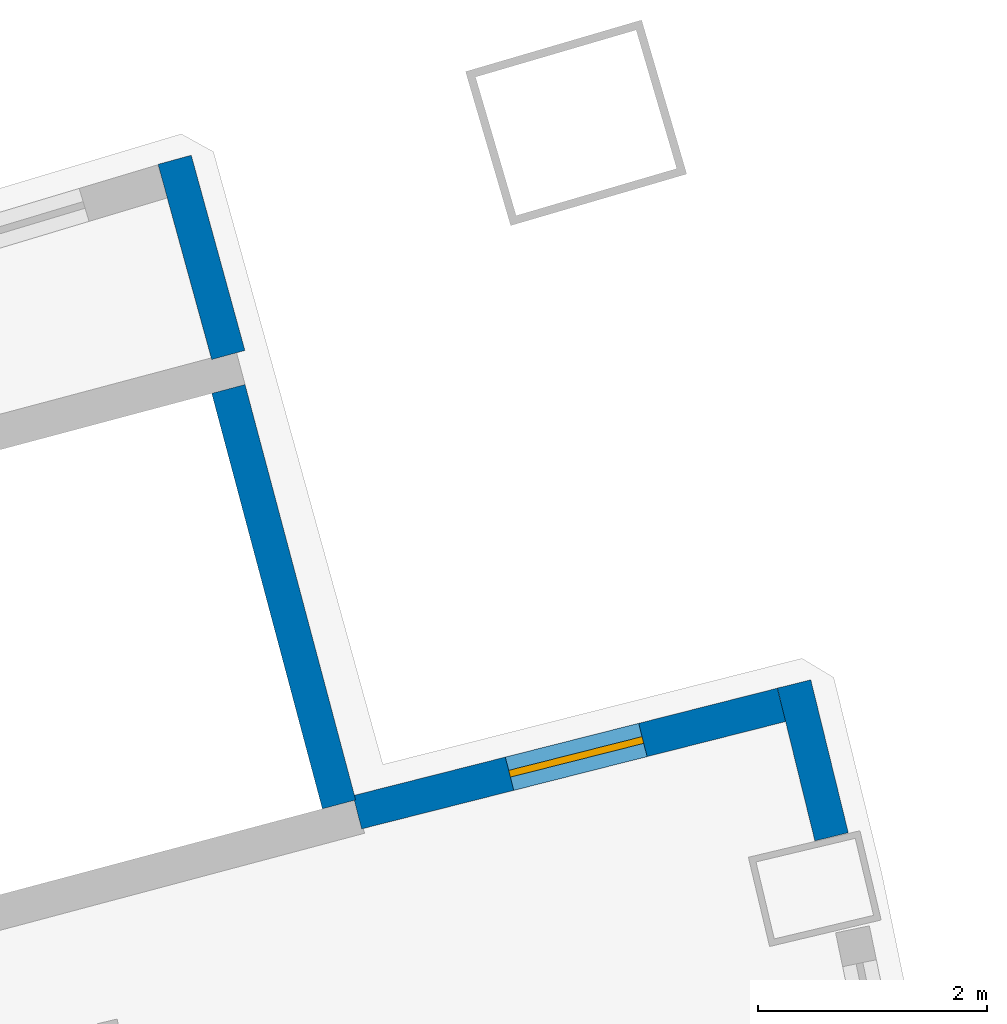
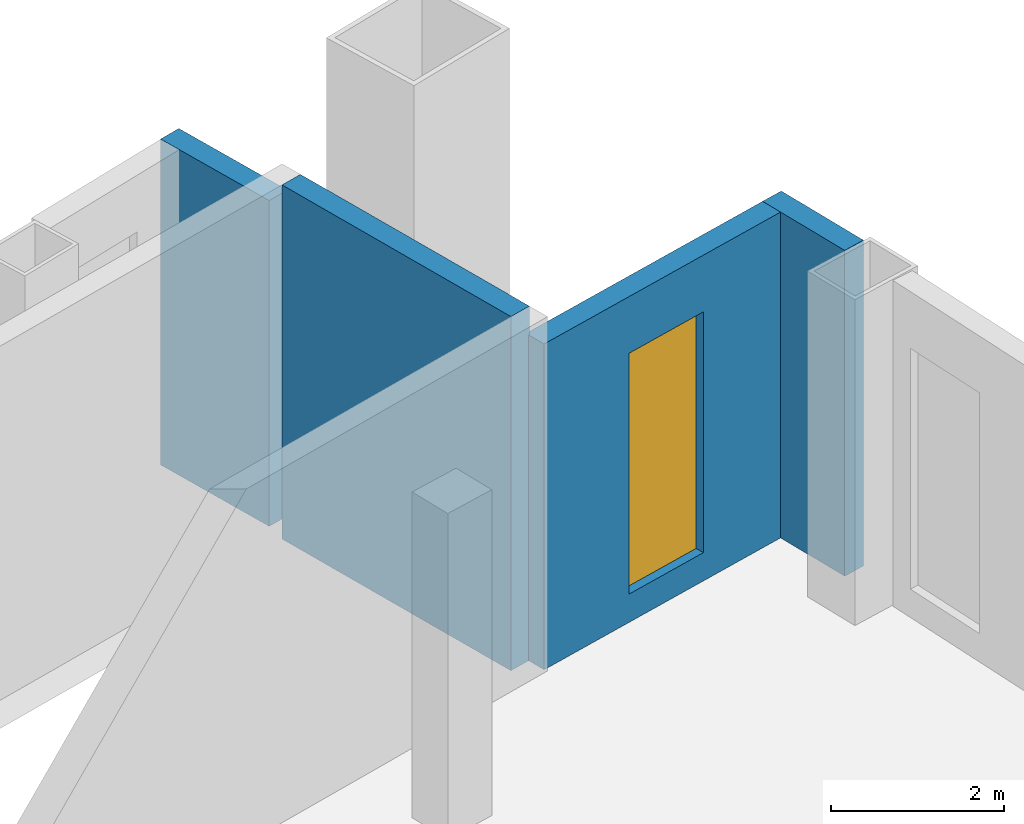
# One storey, part 8 of 9: 4 walls, 1 window, 1 opening.
"""IFC4 building model written with IfcOpenShell, lengths in metres."""

from ifc_helpers import new_model, si_unit, direction, frame, frame_2d, origin, place, context, subcontext, project, spatial, rectangle, extrude, material, layer, layer_set, type_object, element, fill, save


model = new_model("IFC4")

# Units and contexts
model_context = context("Model", 3, precision=1e-05, world=origin(), true_north=direction((0.0, 1.0)))
body_context = subcontext(model_context, "Body", "Model", "MODEL_VIEW")
ifc_project = project(units=[si_unit("LENGTHUNIT", "METRE"), si_unit("AREAUNIT", "SQUARE_METRE"), si_unit("VOLUMEUNIT", "CUBIC_METRE"), si_unit("PLANEANGLEUNIT", "RADIAN"), si_unit("MASSUNIT", "GRAM", prefix="KILO")], contexts=[model_context])

# Site, building, storey
site_placement = place(None, origin())
site = spatial("IfcSite", under=ifc_project, at=site_placement, CompositionType="ELEMENT")
building_placement = place(site_placement, origin())
building = spatial("IfcBuilding", under=site, at=building_placement, Name="Alderwake Tower", CompositionType="ELEMENT")
storey_placement = place(building_placement, frame((0.0, 0.0, 310.0)))
storey = spatial("IfcBuildingStorey", under=building, at=storey_placement, Name="L75", CompositionType="ELEMENT", Elevation=310.0)

# Walls
ifc_material_1 = material(Name="Concrete C70/85", Category="concrete")
ifc_layer_1 = layer(ifc_material_1, 0.300048828125)
ifc_layer_set_1 = layer_set([ifc_layer_1], Name="Core wall stair enclosure 300 C70-85")
wall_type_1 = type_object("IfcWallType", Name="Core wall stair enclosure 300 C70-85", PredefinedType="SHEAR", material=ifc_layer_set_1)
wall_1_placement = place(storey_placement, frame((47.581298828125, 93.041748046875, 0.0), z_axis=(0.0, 0.0, 1.0), x_axis=(-0.257366821694, 0.966313778796, 0.0)))
element("IfcWall", 1, at=wall_1_placement, inside=storey, type_object=wall_type_1, Name="Core wall CW.081", PredefinedType="SHEAR", context=body_context, shape_type="SweptSolid", body=[
    extrude(rectangle(XDim=3.749755859375, YDim=0.300048828125, at=frame_2d((1.875, 0.0))), origin(), (0.0, 0.0, 1.0), 5.0),
])
ifc_material_2 = material(Name="Bronze metal cladding on lightweight framing")
ifc_layer_2 = layer(ifc_material_2, 0.300048828125)
ifc_layer_set_2 = layer_set([ifc_layer_2], Name="External wall EW3 plant enclosure")
wall_type_2 = type_object("IfcWallType", Name="External wall EW3 plant enclosure", PredefinedType="SOLIDWALL", material=ifc_layer_set_2)
wall_2_placement = place(storey_placement, frame((51.87744140625, 92.759033203125, 0.0), z_axis=(0.0, 0.0, 1.0), x_axis=(-0.238306983732, 0.971189879223, 0.0)))
element("IfcWall", 2, at=wall_2_placement, inside=storey, type_object=wall_type_2, Name="External wall 39", PredefinedType="SOLIDWALL", context=body_context, shape_type="SweptSolid", body=[
    extrude(rectangle(XDim=1.372802734375, YDim=0.300048828125, at=frame_2d((0.6865234375, 0.0))), origin(), (0.0, 0.0, 1.0), 4.60009765625),
])

# Wall, opening, window
wall_3_placement = place(storey_placement, frame((51.440673828125, 93.909912109375, 0.0), z_axis=(0.0, 0.0, 1.0), x_axis=(-0.969419457145, -0.245409690332, 0.0)))
wall_3 = element("IfcWall", 3, at=wall_3_placement, inside=storey, type_object=wall_type_2, Name="External wall 41", PredefinedType="SOLIDWALL", context=body_context, shape_type="SweptSolid", body=[
    extrude(rectangle(XDim=3.816162109375, YDim=0.300048828125, at=frame_2d((1.908203125, 0.0))), origin(), (0.0, 0.0, 1.0), 4.60009765625),
])
opening_placement = place(wall_3_placement, frame((1.2470703125, 0.0, 0.39990234375)))
opening = element("IfcOpeningElement", 4, at=opening_placement, cuts=wall_3, Name="Opening LV2", PredefinedType="OPENING", context=body_context, shape_type="SweptSolid", body=[
    extrude(rectangle(XDim=1.199951171875, YDim=3.39990234375, at=frame_2d((0.60009765625, 1.699951171875))), frame((0.0, 0.159912109375, 0.0), z_axis=(0.0, -1.0, 0.0), x_axis=(1.0, 0.0, 0.0)), (0.0, 0.0, 1.0), 0.320068359375),
])
ifc_material_3 = material(Name="Bronze anodised aluminium louvre", Category="aluminium")
window_type = type_object("IfcWindowType", Name="Louvre LV2 crown drum", PartitioningType="SINGLE_PANEL", PredefinedType="USERDEFINED", material=ifc_material_3)
window_placement = place(opening_placement, origin())
window = element("IfcWindow", 5, at=window_placement, inside=storey, type_object=window_type, Name="Louvre LV2 crown drum", ObjectType="LOUVRE", OverallHeight=3.39990234375, OverallWidth=1.199951171875, PartitioningType="SINGLE_PANEL", PredefinedType="USERDEFINED", context=body_context, shape_type="SweptSolid", body=[
    extrude(rectangle(XDim=1.199951171875, YDim=3.39990234375, at=frame_2d((0.60009765625, 1.699951171875))), frame((0.0, 0.030029296875, 0.0), z_axis=(0.0, -1.0, 0.0), x_axis=(1.0, 0.0, 0.0)), (0.0, 0.0, 1.0), 0.06005859375),
])
fill(opening, window)

# Wall
wall_4_placement = place(storey_placement, frame((46.615478515625, 96.96142578125, 0.0), z_axis=(0.0, 0.0, 1.0), x_axis=(-0.265011891163, 0.964245143904, 0.0)))
element("IfcWall", 6, at=wall_4_placement, inside=storey, type_object=wall_type_2, Name="External wall 43", PredefinedType="SOLIDWALL", context=body_context, shape_type="SweptSolid", body=[
    extrude(rectangle(XDim=1.76611328125, YDim=0.300048828125, at=frame_2d((0.883056640625, 0.0))), origin(), (0.0, 0.0, 1.0), 4.60009765625),
])

save(model, "model.ifc")
